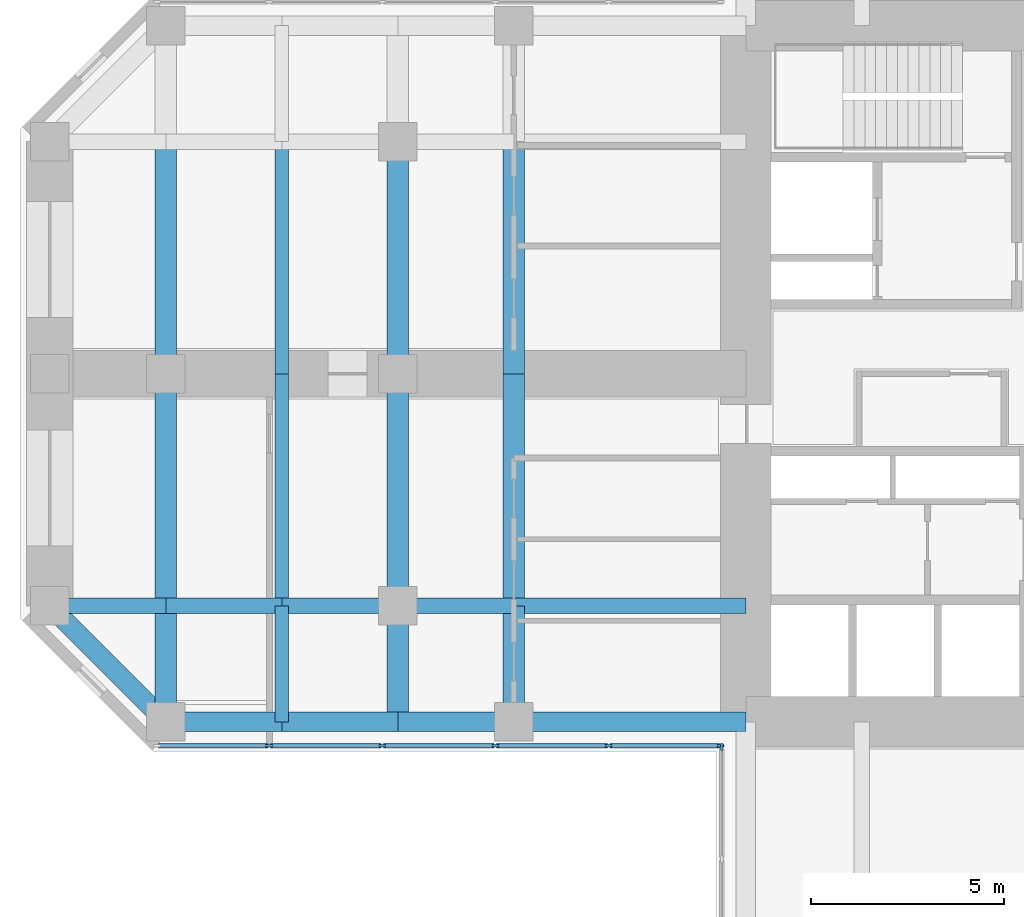
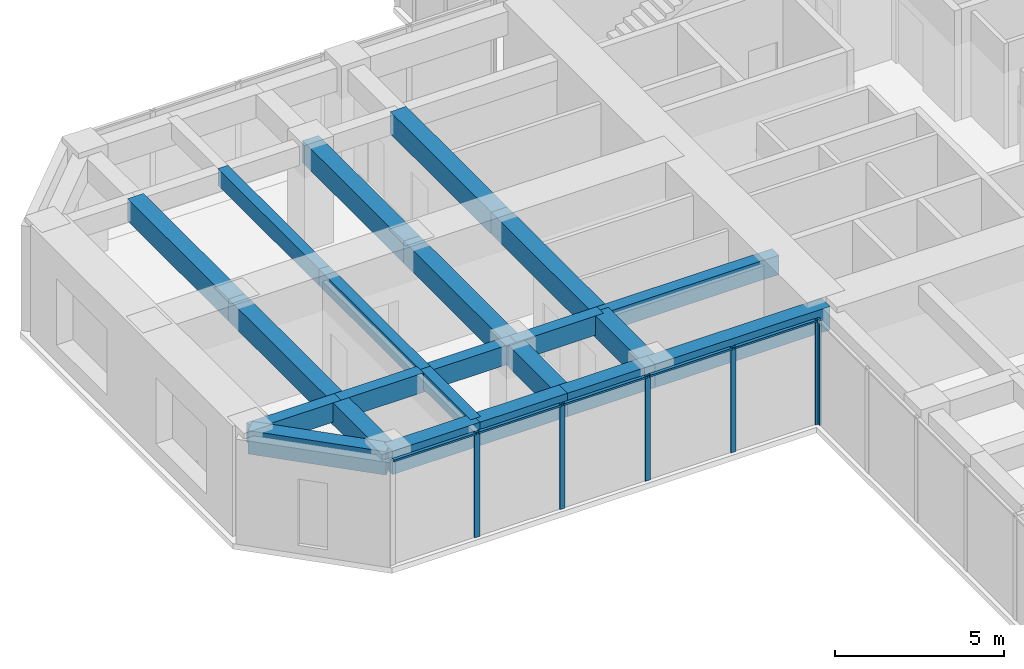
# One storey, part 3 of 12: 22 beams, 11 members, 2 elements without a shape of their own.
"""IFC4 building model written with IfcOpenShell, lengths in metres."""

from ifc_helpers import new_model, si_unit, direction, frame, origin, origin_2d, place, context, subcontext, project, spatial, rectangle, extrude, material, material_profile, profile_set, type_object, element, aggregate, save


model = new_model("IFC4")

# Units and contexts
model_context = context("Model", 3, precision=1e-05, world=origin(), true_north=direction((0.0, 1.0)))
body_context = subcontext(model_context, "Body", "Model", "MODEL_VIEW")
ifc_project = project(units=[si_unit("LENGTHUNIT", "METRE"), si_unit("AREAUNIT", "SQUARE_METRE"), si_unit("VOLUMEUNIT", "CUBIC_METRE"), si_unit("PLANEANGLEUNIT", "RADIAN"), si_unit("MASSUNIT", "GRAM", prefix="KILO")], contexts=[model_context])

# Site, building, storey
site_placement = place(None, origin())
site = spatial("IfcSite", under=ifc_project, at=site_placement, CompositionType="ELEMENT")
building_placement = place(site_placement, origin())
building = spatial("IfcBuilding", under=site, at=building_placement, Name="Torre Cruceta", CompositionType="ELEMENT")
storey_placement = place(building_placement, frame((0.0, 0.0, 108.5)))
storey = spatial("IfcBuildingStorey", under=building, at=storey_placement, Name="L26", CompositionType="ELEMENT", Elevation=108.5)

# Beams
ifc_material_1 = material(Name="Concrete G60 (fck 60 MPa)", Category="concrete")
ifc_material_profile_1 = material_profile(ifc_material_1, rectangle(XDim=0.39990234375, YDim=0.699951171875, at=origin_2d()), Name="RC 400X700")
ifc_profile_set_1 = profile_set([ifc_material_profile_1], Name="Concrete G60 (fck 60 MPa)")
beam_type_1 = type_object("IfcBeamType", Name="COLUMN LINE BEAM RC 400X700", PredefinedType="BEAM", material=ifc_profile_set_1)
beam_1_placement = place(storey_placement, frame((-9.0, -6.0, 3.449951171875), z_axis=(-1.0, 0.0, 0.0), x_axis=(0.0, -1.0, 0.0)))
element("IfcBeam", 1, at=beam_1_placement, inside=storey, type_object=beam_type_1, Name="LB5 L26 W col+ 1", PredefinedType="BEAM", context=body_context, shape_type="SweptSolid", body=[
    extrude(rectangle(XDim=0.39990234375, YDim=0.699951171875, at=origin_2d()), origin(), (0.0, 0.0, 1.0), 6.0),
])
for number, where, z_axis, x_axis, name in (
    (2, (-15.0, -6.0, 3.449951171875), (-1.0, 0.0, 0.0), (0.0, -1.0, 0.0), "LB5 L26 W col+ 2"),
    (3, (-18.0, -6.0, 3.449951171875), (-1.0, 0.0, 0.0), (0.0, -1.0, 0.0), "LB5 L26 W col+ 3"),
    (4, (-21.0, -6.0, 3.449951171875), (-1.0, 0.0, 0.0), (0.0, -1.0, 0.0), "LB5 L26 W col+ 4"),
    (5, (-24.0, -6.0, 3.449951171875), (-1.0, 0.0, 0.0), (0.0, -1.0, 0.0), "LB5 L26 W col+ 5"),
):
    element("IfcBeam", number, at=place(storey_placement, frame(where, z_axis=z_axis, x_axis=x_axis)), inside=storey, type_object=beam_type_1, Name=name, PredefinedType="BEAM", context=body_context, shape_type="SweptSolid", body=[
        extrude(rectangle(XDim=0.39990234375, YDim=0.699951171875, at=origin_2d()), origin(), (0.0, 0.0, 1.0), 3.0),
    ])
ifc_material_2 = material(Name="Concrete G60 (fck 60 MPa)", Category="concrete")
ifc_material_profile_2 = material_profile(ifc_material_2, rectangle(XDim=0.550048828125, YDim=0.800048828125, at=origin_2d()), Name="RC 550X800")
ifc_profile_set_2 = profile_set([ifc_material_profile_2], Name="Concrete G60 (fck 60 MPa)")
beam_type_2 = type_object("IfcBeamType", Name="CROSS BEAM RC 550X800", PredefinedType="BEAM", material=ifc_profile_set_2)
for number, where, z_axis, x_axis, name in (
    (6, (-15.0, 6.0, 3.39990234375), (0.0, -1.0, 0.0), (1.0, 0.0, 0.0), "GB5 L26 W cross15 2"),
    (7, (-15.0, 0.0, 3.39990234375), (0.0, -1.0, 0.0), (1.0, 0.0, 0.0), "GB5 L26 W cross15 3"),
):
    element("IfcBeam", number, at=place(storey_placement, frame(where, z_axis=z_axis, x_axis=x_axis)), inside=storey, type_object=beam_type_2, Name=name, PredefinedType="BEAM", context=body_context, shape_type="SweptSolid", body=[
        extrude(rectangle(XDim=0.550048828125, YDim=0.800048828125, at=origin_2d()), origin(), (0.0, 0.0, 1.0), 6.0),
    ])
beam_2_placement = place(storey_placement, frame((-15.0, -6.0, 3.39990234375), z_axis=(0.0, -1.0, 0.0), x_axis=(1.0, 0.0, 0.0)))
element("IfcBeam", 8, at=beam_2_placement, inside=storey, type_object=beam_type_2, Name="GB5 L26 W cross15 4", PredefinedType="BEAM", context=body_context, shape_type="SweptSolid", body=[
    extrude(rectangle(XDim=0.550048828125, YDim=0.800048828125, at=origin_2d()), origin(), (0.0, 0.0, 1.0), 3.0),
])
for number, where, z_axis, x_axis, name in (
    (9, (-18.0, 6.0, 3.39990234375), (0.0, -1.0, 0.0), (1.0, 0.0, 0.0), "GB5 L26 W cross18 2"),
    (10, (-18.0, 0.0, 3.39990234375), (0.0, -1.0, 0.0), (1.0, 0.0, 0.0), "GB5 L26 W cross18 3"),
):
    element("IfcBeam", number, at=place(storey_placement, frame(where, z_axis=z_axis, x_axis=x_axis)), inside=storey, type_object=beam_type_2, Name=name, PredefinedType="BEAM", context=body_context, shape_type="SweptSolid", body=[
        extrude(rectangle(XDim=0.550048828125, YDim=0.800048828125, at=origin_2d()), origin(), (0.0, 0.0, 1.0), 6.0),
    ])
beam_3_placement = place(storey_placement, frame((-18.0, -6.0, 3.39990234375), z_axis=(0.0, -1.0, 0.0), x_axis=(1.0, 0.0, 0.0)))
element("IfcBeam", 11, at=beam_3_placement, inside=storey, type_object=beam_type_2, Name="GB5 L26 W cross18 4", PredefinedType="BEAM", context=body_context, shape_type="SweptSolid", body=[
    extrude(rectangle(XDim=0.550048828125, YDim=0.800048828125, at=origin_2d()), origin(), (0.0, 0.0, 1.0), 3.0),
])
for number, where, z_axis, x_axis, name in (
    (12, (-24.0, 6.0, 3.39990234375), (0.0, -1.0, 0.0), (1.0, 0.0, 0.0), "GB5 L26 W cross24 2"),
    (13, (-24.0, 0.0, 3.39990234375), (0.0, -1.0, 0.0), (1.0, 0.0, 0.0), "GB5 L26 W cross24 3"),
):
    element("IfcBeam", number, at=place(storey_placement, frame(where, z_axis=z_axis, x_axis=x_axis)), inside=storey, type_object=beam_type_2, Name=name, PredefinedType="BEAM", context=body_context, shape_type="SweptSolid", body=[
        extrude(rectangle(XDim=0.550048828125, YDim=0.800048828125, at=origin_2d()), origin(), (0.0, 0.0, 1.0), 6.0),
    ])
beam_4_placement = place(storey_placement, frame((-24.0, -6.0, 3.39990234375), z_axis=(0.0, -1.0, 0.0), x_axis=(1.0, 0.0, 0.0)))
element("IfcBeam", 14, at=beam_4_placement, inside=storey, type_object=beam_type_2, Name="GB5 L26 W cross24 4", PredefinedType="BEAM", context=body_context, shape_type="SweptSolid", body=[
    extrude(rectangle(XDim=0.550048828125, YDim=0.800048828125, at=origin_2d()), origin(), (0.0, 0.0, 1.0), 3.0),
])

# Curtain wall, members
ifc_material_3 = material(Name="Aluminium unitised curtain wall", Category="aluminium")
curtain_wall_type = type_object("IfcCurtainWallType", Name="CURTAIN WALL CW-B OFFICE MID RISE", PredefinedType="USERDEFINED", material=ifc_material_3)
curtain_wall_1_placement = place(storey_placement, origin())
curtain_wall_1 = element("IfcCurtainWall", 15, at=curtain_wall_1_placement, inside=storey, type_object=curtain_wall_type, Name="CW-B L26 W side 14", ObjectType="UNITISED", PredefinedType="USERDEFINED")
ifc_material_4 = material(Name="Aluminium mullion", Category="aluminium")
ifc_material_profile_3 = material_profile(ifc_material_4, rectangle(XDim=0.06494140625, YDim=0.179931640625, at=origin_2d()), Name="AL 65X180")
ifc_profile_set_3 = profile_set([ifc_material_profile_3], Name="Aluminium mullion")
member_type_1 = type_object("IfcMemberType", Name="CW-B MULLION 65X180", PredefinedType="MULLION", material=ifc_profile_set_3)
member_1_placement = place(storey_placement, frame((-21.329345703125, -9.6201171875, 0.0), z_axis=(0.0, 0.0, 1.0), x_axis=(0.0, 1.0, 0.0)))
member_1 = element("IfcMember", 16, at=member_1_placement, type_object=member_type_1, Name="CW-B mullion 2", PredefinedType="MULLION", context=body_context, shape_type="SweptSolid", body=[
    extrude(rectangle(XDim=0.06494140625, YDim=0.179931640625, at=origin_2d()), origin(), (0.0, 0.0, 1.0), 3.800048828125),
])
member_2_placement = place(storey_placement, frame((-18.402099609375, -9.6201171875, 0.0), z_axis=(0.0, 0.0, 1.0), x_axis=(0.0, 1.0, 0.0)))
member_2 = element("IfcMember", 17, at=member_2_placement, type_object=member_type_1, Name="CW-B mullion 3", PredefinedType="MULLION", context=body_context, shape_type="SweptSolid", body=[
    extrude(rectangle(XDim=0.06494140625, YDim=0.179931640625, at=origin_2d()), origin(), (0.0, 0.0, 1.0), 3.800048828125),
])
member_3_placement = place(storey_placement, frame((-15.474609375, -9.6201171875, 0.0), z_axis=(0.0, 0.0, 1.0), x_axis=(0.0, 1.0, 0.0)))
member_3 = element("IfcMember", 18, at=member_3_placement, type_object=member_type_1, Name="CW-B mullion 4", PredefinedType="MULLION", context=body_context, shape_type="SweptSolid", body=[
    extrude(rectangle(XDim=0.06494140625, YDim=0.179931640625, at=origin_2d()), origin(), (0.0, 0.0, 1.0), 3.800048828125),
])
member_4_placement = place(storey_placement, frame((-12.54736328125, -9.6201171875, 0.0), z_axis=(0.0, 0.0, 1.0), x_axis=(0.0, 1.0, 0.0)))
member_4 = element("IfcMember", 19, at=member_4_placement, type_object=member_type_1, Name="CW-B mullion 5", PredefinedType="MULLION", context=body_context, shape_type="SweptSolid", body=[
    extrude(rectangle(XDim=0.06494140625, YDim=0.179931640625, at=origin_2d()), origin(), (0.0, 0.0, 1.0), 3.800048828125),
])
member_5_placement = place(storey_placement, frame((-9.652587890625, -9.6201171875, 0.0), z_axis=(0.0, 0.0, 1.0), x_axis=(0.0, 1.0, 0.0)))
member_5 = element("IfcMember", 20, at=member_5_placement, type_object=member_type_1, Name="CW-B mullion 6", PredefinedType="MULLION", context=body_context, shape_type="SweptSolid", body=[
    extrude(rectangle(XDim=0.06494140625, YDim=0.179931640625, at=origin_2d()), origin(), (0.0, 0.0, 1.0), 3.800048828125),
])

# Curtain wall, member
curtain_wall_2_placement = place(storey_placement, origin())
curtain_wall_2 = element("IfcCurtainWall", 21, at=curtain_wall_2_placement, inside=storey, type_object=curtain_wall_type, Name="CW-B L26 S side 15", ObjectType="UNITISED", PredefinedType="USERDEFINED")
member_6_placement = place(storey_placement, frame((-9.6201171875, -9.652587890625, 0.0), z_axis=(0.0, 0.0, 1.0), x_axis=(1.0, 0.0, 0.0)))
member_6 = element("IfcMember", 22, at=member_6_placement, type_object=member_type_1, Name="CW-B mullion 1", PredefinedType="MULLION", context=body_context, shape_type="SweptSolid", body=[
    extrude(rectangle(XDim=0.06494140625, YDim=0.179931640625, at=origin_2d()), origin(), (0.0, 0.0, 1.0), 3.800048828125),
])
aggregate(curtain_wall_2, [member_6])

# Member
ifc_material_5 = material(Name="Aluminium transom", Category="aluminium")
ifc_material_profile_4 = material_profile(ifc_material_5, rectangle(XDim=0.110107421875, YDim=0.06494140625, at=origin_2d()), Name="AL 110X65")
ifc_profile_set_4 = profile_set([ifc_material_profile_4], Name="Aluminium transom")
member_type_2 = type_object("IfcMemberType", Name="CW-B TRANSOM 65X110", PredefinedType="USERDEFINED", material=ifc_profile_set_4)
member_7_placement = place(storey_placement, frame((-24.19189453125, -9.6201171875, 3.767578125), z_axis=(1.0, 0.0, 0.0), x_axis=(0.0, 1.0, 0.0)))
member_7 = element("IfcMember", 23, at=member_7_placement, type_object=member_type_2, Name="CW-B transom 1", ObjectType="TRANSOM", PredefinedType="USERDEFINED", context=body_context, shape_type="SweptSolid", body=[
    extrude(rectangle(XDim=0.110107421875, YDim=0.06494140625, at=origin_2d()), origin(), (0.0, 0.0, 1.0), 2.829833984375),
])

member_8_placement = place(storey_placement, frame((-21.296875, -9.6201171875, 3.767578125), z_axis=(1.0, 0.0, 0.0), x_axis=(0.0, 1.0, 0.0)))
member_8 = element("IfcMember", 24, at=member_8_placement, type_object=member_type_2, Name="CW-B transom 2", ObjectType="TRANSOM", PredefinedType="USERDEFINED", context=body_context, shape_type="SweptSolid", body=[
    extrude(rectangle(XDim=0.110107421875, YDim=0.06494140625, at=origin_2d()), origin(), (0.0, 0.0, 1.0), 2.8623046875),
])

member_9_placement = place(storey_placement, frame((-18.36962890625, -9.6201171875, 3.767578125), z_axis=(1.0, 0.0, 0.0), x_axis=(0.0, 1.0, 0.0)))
member_9 = element("IfcMember", 25, at=member_9_placement, type_object=member_type_2, Name="CW-B transom 3", ObjectType="TRANSOM", PredefinedType="USERDEFINED", context=body_context, shape_type="SweptSolid", body=[
    extrude(rectangle(XDim=0.110107421875, YDim=0.06494140625, at=origin_2d()), origin(), (0.0, 0.0, 1.0), 2.8623046875),
])

member_10_placement = place(storey_placement, frame((-15.442138671875, -9.6201171875, 3.767578125), z_axis=(1.0, 0.0, 0.0), x_axis=(0.0, 1.0, 0.0)))
member_10 = element("IfcMember", 26, at=member_10_placement, type_object=member_type_2, Name="CW-B transom 4", ObjectType="TRANSOM", PredefinedType="USERDEFINED", context=body_context, shape_type="SweptSolid", body=[
    extrude(rectangle(XDim=0.110107421875, YDim=0.06494140625, at=origin_2d()), origin(), (0.0, 0.0, 1.0), 2.8623046875),
])

member_11_placement = place(storey_placement, frame((-12.514892578125, -9.6201171875, 3.767578125), z_axis=(1.0, 0.0, 0.0), x_axis=(0.0, 1.0, 0.0)))
member_11 = element("IfcMember", 27, at=member_11_placement, type_object=member_type_2, Name="CW-B transom 5", ObjectType="TRANSOM", PredefinedType="USERDEFINED", context=body_context, shape_type="SweptSolid", body=[
    extrude(rectangle(XDim=0.110107421875, YDim=0.06494140625, at=origin_2d()), origin(), (0.0, 0.0, 1.0), 2.829833984375),
])

aggregate(curtain_wall_1, [member_1, member_2, member_3, member_4, member_5, member_7, member_8, member_9, member_10, member_11])

# Beams
ifc_material_6 = material(Name="Concrete G60 (fck 60 MPa)", Category="concrete")
ifc_material_profile_5 = material_profile(ifc_material_6, rectangle(XDim=0.35009765625, YDim=0.60009765625, at=origin_2d()), Name="RC 350X600")
ifc_profile_set_5 = profile_set([ifc_material_profile_5], Name="Concrete G60 (fck 60 MPa)")
beam_type_3 = type_object("IfcBeamType", Name="SECONDARY BEAM RC 350X600", PredefinedType="JOIST", material=ifc_profile_set_5)
for number, where, z_axis, x_axis, name in (
    (28, (-21.0, 6.0, 3.5), (0.0, -1.0, 0.0), (1.0, 0.0, 0.0), "JB5 L26 W sec21 2"),
    (29, (-21.0, 0.0, 3.5), (0.0, -1.0, 0.0), (1.0, 0.0, 0.0), "JB5 L26 W sec21 3"),
):
    element("IfcBeam", number, at=place(storey_placement, frame(where, z_axis=z_axis, x_axis=x_axis)), inside=storey, type_object=beam_type_3, Name=name, PredefinedType="JOIST", context=body_context, shape_type="SweptSolid", body=[
        extrude(rectangle(XDim=0.35009765625, YDim=0.60009765625, at=origin_2d()), origin(), (0.0, 0.0, 1.0), 6.0),
    ])
beam_5_placement = place(storey_placement, frame((-21.0, -6.0, 3.5), z_axis=(0.0, -1.0, 0.0), x_axis=(1.0, 0.0, 0.0)))
element("IfcBeam", 30, at=beam_5_placement, inside=storey, type_object=beam_type_3, Name="JB5 L26 W sec21 4", PredefinedType="JOIST", context=body_context, shape_type="SweptSolid", body=[
    extrude(rectangle(XDim=0.35009765625, YDim=0.60009765625, at=origin_2d()), origin(), (0.0, 0.0, 1.0), 3.0),
])
ifc_material_7 = material(Name="Concrete G60 (fck 60 MPa)", Category="concrete")
ifc_material_profile_6 = material_profile(ifc_material_7, rectangle(XDim=0.5, YDim=0.85009765625, at=origin_2d()), Name="RC 500X850")
ifc_profile_set_6 = profile_set([ifc_material_profile_6], Name="Concrete G60 (fck 60 MPa)")
beam_type_4 = type_object("IfcBeamType", Name="SPANDREL BEAM RC 500X850", PredefinedType="SPANDREL", material=ifc_profile_set_6)
beam_6_placement = place(storey_placement, frame((-9.0, -9.0, 3.375), z_axis=(-1.0, 0.0, 0.0), x_axis=(0.0, -1.0, 0.0)))
element("IfcBeam", 31, at=beam_6_placement, inside=storey, type_object=beam_type_4, Name="SB5 L26 W side+ 1", PredefinedType="SPANDREL", context=body_context, shape_type="SweptSolid", body=[
    extrude(rectangle(XDim=0.5, YDim=0.85009765625, at=origin_2d()), origin(), (0.0, 0.0, 1.0), 6.0),
])
for number, where, z_axis, x_axis, name in (
    (32, (-15.0, -9.0, 3.375), (-1.0, 0.0, 0.0), (0.0, -1.0, 0.0), "SB5 L26 W side+ 2"),
    (33, (-18.0, -9.0, 3.375), (-1.0, 0.0, 0.0), (0.0, -1.0, 0.0), "SB5 L26 W side+ 3"),
    (34, (-21.0, -9.0, 3.375), (-1.0, 0.0, 0.0), (0.0, -1.0, 0.0), "SB5 L26 W side+ 4"),
):
    element("IfcBeam", number, at=place(storey_placement, frame(where, z_axis=z_axis, x_axis=x_axis)), inside=storey, type_object=beam_type_4, Name=name, PredefinedType="SPANDREL", context=body_context, shape_type="SweptSolid", body=[
        extrude(rectangle(XDim=0.5, YDim=0.85009765625, at=origin_2d()), origin(), (0.0, 0.0, 1.0), 3.0),
    ])
beam_7_placement = place(storey_placement, frame((-24.0, -9.0, 3.375), z_axis=(-0.707106781187, 0.707106781187, 0.0), x_axis=(-0.707106781187, -0.707106781187, 0.0)))
element("IfcBeam", 35, at=beam_7_placement, inside=storey, type_object=beam_type_4, Name="SB5 L26 W side+ 5", PredefinedType="SPANDREL", context=body_context, shape_type="SweptSolid", body=[
    extrude(rectangle(XDim=0.5, YDim=0.85009765625, at=origin_2d()), origin(), (0.0, 0.0, 1.0), 4.24267578125),
])

save(model, "model.ifc")
